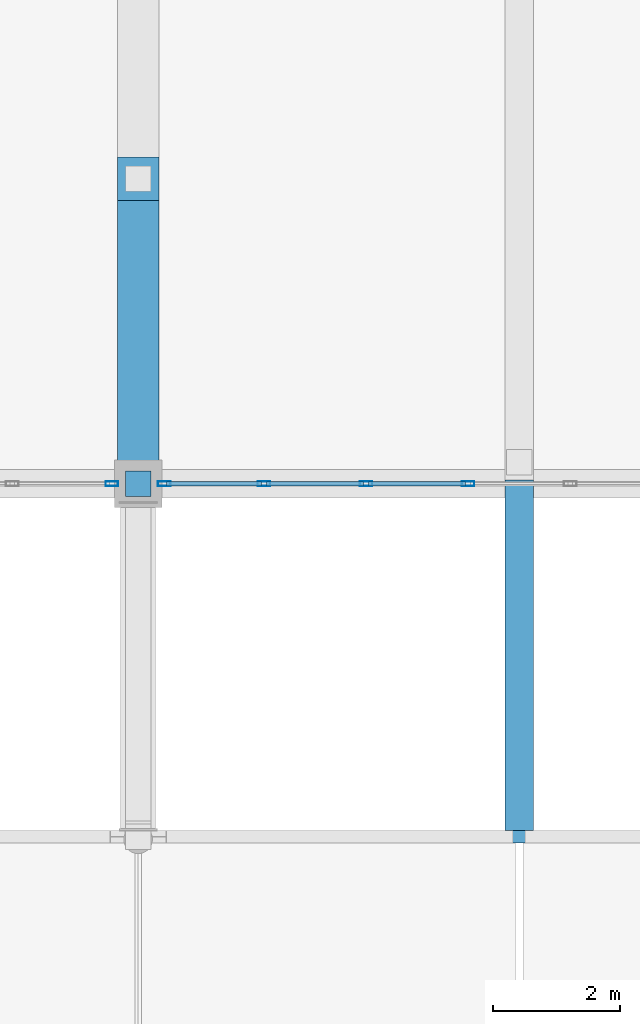
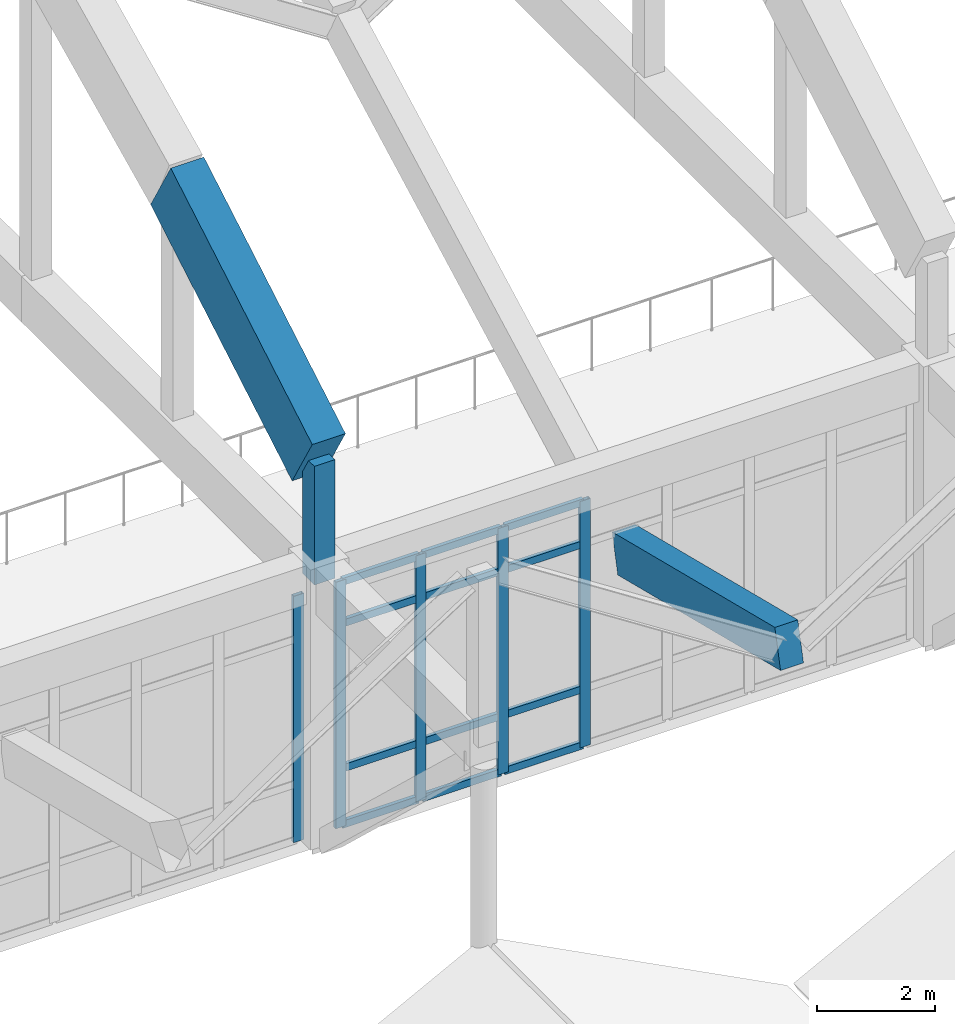
# One storey, part 49 of 236: 19 members, 1 beam, 2 elements without a shape of their own.
"""IFC4 building model written with IfcOpenShell, lengths in metres."""

from ifc_helpers import new_model, si_unit, direction, frame, origin, origin_2d, place, context, subcontext, project, spatial, rectangle, hollow_rectangle, extrude, material, layer, layer_set, material_profile, profile_set, type_object, element, aggregate, save


model = new_model("IFC4")

# Units and contexts
model_context = context("Model", 3, precision=1e-05, world=origin(), true_north=direction((0.0, 1.0)))
body_context = subcontext(model_context, "Body", "Model", "MODEL_VIEW")
ifc_project = project(units=[si_unit("LENGTHUNIT", "METRE"), si_unit("AREAUNIT", "SQUARE_METRE"), si_unit("VOLUMEUNIT", "CUBIC_METRE"), si_unit("PLANEANGLEUNIT", "RADIAN"), si_unit("MASSUNIT", "GRAM", prefix="KILO")], contexts=[model_context])

# Site, building, storey
site_placement = place(None, origin())
site = spatial("IfcSite", under=ifc_project, at=site_placement, CompositionType="ELEMENT")
building_placement = place(site_placement, origin())
building = spatial("IfcBuilding", under=site, at=building_placement, Name="Pandanus Reach Market Hall", CompositionType="ELEMENT")
storey_placement = place(building_placement, frame((0.0, 0.0, 5.39990234375)))
storey = spatial("IfcBuildingStorey", under=building, at=storey_placement, Name="L01", CompositionType="ELEMENT", Elevation=5.39990234375)

# Members
ifc_material_1 = material(Name="Concrete N50 (50 MPa)", Category="concrete")
ifc_material_profile_1 = material_profile(ifc_material_1, rectangle(XDim=0.64990234375, YDim=1.35009765625, at=origin_2d()), Name="RC650x1350", Category="LoadBearing")
ifc_profile_set_1 = profile_set([ifc_material_profile_1], Name="Concrete N50 (50 MPa)")
member_type_1 = type_object("IfcMemberType", Name="AR-RC650-E", PredefinedType="CHORD", material=ifc_profile_set_1)
member_1_placement = place(storey_placement, frame((72.0, 28.800048828125, 7.780029296875), z_axis=(0.0, 0.862897305689, 0.505379302935), x_axis=(-1.0, 0.0, 0.0)))
element("IfcMember", 1, at=member_1_placement, inside=storey, type_object=member_type_1, Name="Parabolic arch top chord A3.1", PredefinedType="CHORD", context=body_context, shape_type="SweptSolid", body=[
    extrude(rectangle(XDim=0.64990234375, YDim=1.35009765625, at=origin_2d()), origin(), (0.0, 0.0, 1.0), 5.562744140625),
])
ifc_material_profile_2 = material_profile(ifc_material_1, rectangle(XDim=0.39990234375, YDim=0.39990234375, at=origin_2d()), Name="RC400x400", Category="LoadBearing")
ifc_profile_set_2 = profile_set([ifc_material_profile_2], Name="Concrete N50 (50 MPa)")
member_type_2 = type_object("IfcMemberType", Name="AR-WEB400-E", PredefinedType="STRUT", material=ifc_profile_set_2)
member_2_placement = place(storey_placement, frame((72.0, 28.800048828125, 5.3251953125), z_axis=(0.0, 0.0, 1.0), x_axis=(1.0, 0.0, 0.0)))
element("IfcMember", 2, at=member_2_placement, inside=storey, type_object=member_type_2, Name="Arch springing concrete strut A3.S", PredefinedType="STRUT", context=body_context, shape_type="SweptSolid", body=[
    extrude(rectangle(XDim=0.39990234375, YDim=0.39990234375, at=origin_2d()), origin(), (0.0, 0.0, 1.0), 2.454833984375),
])

# Beam
ifc_material_2 = material(Name="Concrete N40 (40 MPa)", Category="concrete")
ifc_material_profile_3 = material_profile(ifc_material_2, rectangle(XDim=0.449951171875, YDim=0.800048828125, at=origin_2d()), Name="RC450x800", Category="LoadBearing")
ifc_profile_set_3 = profile_set([ifc_material_profile_3], Name="Concrete N40 (40 MPa)")
beam_type = type_object("IfcBeamType", Name="BM-RC450-I", PredefinedType="BEAM", material=ifc_profile_set_3)
beam_placement = place(storey_placement, frame((78.0, 23.239990234375, 5.16015625), z_axis=(0.0, 0.97055017704, -0.240899053231), x_axis=(-1.0, 0.0, 0.0)))
element("IfcBeam", 3, at=beam_placement, inside=storey, type_object=beam_type, Name="Butterfly valley beam B3.1", PredefinedType="BEAM", context=body_context, shape_type="SweptSolid", body=[
    extrude(rectangle(XDim=0.449951171875, YDim=0.800048828125, at=origin_2d()), origin(), (0.0, 0.0, 1.0), 5.6875),
])

# Curtain wall, member
ifc_material_3 = material(Name="Bronze anodised aluminium and low-E glass", Category="aluminium")
ifc_layer = layer(ifc_material_3, 0.199951171875, Name="CW-02")
ifc_layer_set = layer_set([ifc_layer], Name="Bronze anodised aluminium and low-E glass")
curtain_wall_type = type_object("IfcCurtainWallType", Name="CW-02", PredefinedType="NOTDEFINED", material=ifc_layer_set)
curtain_wall_1_placement = place(storey_placement, origin())
curtain_wall_1 = element("IfcCurtainWall", 4, at=curtain_wall_1_placement, inside=storey, type_object=curtain_wall_type, Name="Glazed curtain wall CW-02 CW-0002", PredefinedType="NOTDEFINED")
ifc_material_4 = material(Name="Bronze anodised aluminium", Category="aluminium")
ifc_material_profile_4 = material_profile(ifc_material_4, hollow_rectangle(XDim=0.074951171875, YDim=0.199951171875, WallThickness=0.00439453125, at=origin_2d()), Name="ALU75x200", Category="LoadBearing")
ifc_profile_set_4 = profile_set([ifc_material_profile_4], Name="Bronze anodised aluminium")
member_type_3 = type_object("IfcMemberType", Name="CW-M2", PredefinedType="MULLION", material=ifc_profile_set_4)
member_3_placement = place(storey_placement, frame((71.58740234375, 28.800048828125, 0.0), z_axis=(0.0, 0.0, 1.0), x_axis=(0.0, 1.0, 0.0)))
member_3 = element("IfcMember", 5, at=member_3_placement, type_object=member_type_3, Name="CW-02 mullion 8", PredefinedType="MULLION", context=body_context, shape_type="SweptSolid", body=[
    extrude(hollow_rectangle(XDim=0.074951171875, YDim=0.199951171875, WallThickness=0.00439453125, at=origin_2d()), origin(), (0.0, 0.0, 1.0), 5.10009765625),
])
aggregate(curtain_wall_1, [member_3])

# Curtain wall, members
curtain_wall_2_placement = place(storey_placement, origin())
curtain_wall_2 = element("IfcCurtainWall", 6, at=curtain_wall_2_placement, inside=storey, type_object=curtain_wall_type, Name="Glazed curtain wall CW-02 CW-0004", PredefinedType="NOTDEFINED")
member_4_placement = place(storey_placement, frame((72.41259765625, 28.800048828125, 0.0), z_axis=(0.0, 0.0, 1.0), x_axis=(0.0, 1.0, 0.0)))
member_4 = element("IfcMember", 7, at=member_4_placement, type_object=member_type_3, Name="CW-02 mullion 1", PredefinedType="MULLION", context=body_context, shape_type="SweptSolid", body=[
    extrude(hollow_rectangle(XDim=0.074951171875, YDim=0.199951171875, WallThickness=0.00439453125, at=origin_2d()), origin(), (0.0, 0.0, 1.0), 5.10009765625),
])
member_5_placement = place(storey_placement, frame((73.982177734375, 28.800048828125, 0.0), z_axis=(0.0, 0.0, 1.0), x_axis=(0.0, 1.0, 0.0)))
member_5 = element("IfcMember", 8, at=member_5_placement, type_object=member_type_3, Name="CW-02 mullion 2", PredefinedType="MULLION", context=body_context, shape_type="SweptSolid", body=[
    extrude(hollow_rectangle(XDim=0.074951171875, YDim=0.199951171875, WallThickness=0.00439453125, at=origin_2d()), origin(), (0.0, 0.0, 1.0), 5.10009765625),
])
member_6_placement = place(storey_placement, frame((75.58935546875, 28.800048828125, 0.0), z_axis=(0.0, 0.0, 1.0), x_axis=(0.0, 1.0, 0.0)))
member_6 = element("IfcMember", 9, at=member_6_placement, type_object=member_type_3, Name="CW-02 mullion 3", PredefinedType="MULLION", context=body_context, shape_type="SweptSolid", body=[
    extrude(hollow_rectangle(XDim=0.074951171875, YDim=0.199951171875, WallThickness=0.00439453125, at=origin_2d()), origin(), (0.0, 0.0, 1.0), 5.10009765625),
])
member_7_placement = place(storey_placement, frame((77.196533203125, 28.800048828125, 0.0), z_axis=(0.0, 0.0, 1.0), x_axis=(0.0, 1.0, 0.0)))
member_7 = element("IfcMember", 10, at=member_7_placement, type_object=member_type_3, Name="CW-02 mullion 4", PredefinedType="MULLION", context=body_context, shape_type="SweptSolid", body=[
    extrude(hollow_rectangle(XDim=0.074951171875, YDim=0.199951171875, WallThickness=0.00439453125, at=origin_2d()), origin(), (0.0, 0.0, 1.0), 5.10009765625),
])
ifc_material_profile_5 = material_profile(ifc_material_4, hollow_rectangle(XDim=0.074951171875, YDim=0.14990234375, WallThickness=0.00439453125, at=origin_2d()), Name="ALU75x150", Category="LoadBearing")
ifc_profile_set_5 = profile_set([ifc_material_profile_5], Name="Bronze anodised aluminium")
member_type_4 = type_object("IfcMemberType", Name="CW-T2", PredefinedType="USERDEFINED", material=ifc_profile_set_5)
member_8_placement = place(storey_placement, frame((72.449951171875, 28.800048828125, 0.03759765625), z_axis=(1.0, 0.0, 0.0), x_axis=(0.0, 1.0, 0.0)))
member_8 = element("IfcMember", 11, at=member_8_placement, type_object=member_type_4, Name="CW-02 transom 1.1", ObjectType="TRANSOM", PredefinedType="USERDEFINED", context=body_context, shape_type="SweptSolid", body=[
    extrude(hollow_rectangle(XDim=0.074951171875, YDim=0.14990234375, WallThickness=0.00439453125, at=origin_2d()), origin(), (0.0, 0.0, 1.0), 1.49462890625),
])
member_9_placement = place(storey_placement, frame((72.449951171875, 28.800048828125, 1.2001953125), z_axis=(1.0, 0.0, 0.0), x_axis=(0.0, 1.0, 0.0)))
member_9 = element("IfcMember", 12, at=member_9_placement, type_object=member_type_4, Name="CW-02 transom 1.2", ObjectType="TRANSOM", PredefinedType="USERDEFINED", context=body_context, shape_type="SweptSolid", body=[
    extrude(hollow_rectangle(XDim=0.074951171875, YDim=0.14990234375, WallThickness=0.00439453125, at=origin_2d()), origin(), (0.0, 0.0, 1.0), 1.49462890625),
])
member_10_placement = place(storey_placement, frame((72.449951171875, 28.800048828125, 4.2001953125), z_axis=(1.0, 0.0, 0.0), x_axis=(0.0, 1.0, 0.0)))
member_10 = element("IfcMember", 13, at=member_10_placement, type_object=member_type_4, Name="CW-02 transom 1.3", ObjectType="TRANSOM", PredefinedType="USERDEFINED", context=body_context, shape_type="SweptSolid", body=[
    extrude(hollow_rectangle(XDim=0.074951171875, YDim=0.14990234375, WallThickness=0.00439453125, at=origin_2d()), origin(), (0.0, 0.0, 1.0), 1.49462890625),
])
member_11_placement = place(storey_placement, frame((72.449951171875, 28.800048828125, 5.0625), z_axis=(1.0, 0.0, 0.0), x_axis=(0.0, 1.0, 0.0)))
member_11 = element("IfcMember", 14, at=member_11_placement, type_object=member_type_4, Name="CW-02 transom 1.4", ObjectType="TRANSOM", PredefinedType="USERDEFINED", context=body_context, shape_type="SweptSolid", body=[
    extrude(hollow_rectangle(XDim=0.074951171875, YDim=0.14990234375, WallThickness=0.00439453125, at=origin_2d()), origin(), (0.0, 0.0, 1.0), 1.49462890625),
])
member_12_placement = place(storey_placement, frame((74.01953125, 28.800048828125, 0.03759765625), z_axis=(1.0, 0.0, 0.0), x_axis=(0.0, 1.0, 0.0)))
member_12 = element("IfcMember", 15, at=member_12_placement, type_object=member_type_4, Name="CW-02 transom 2.1", ObjectType="TRANSOM", PredefinedType="USERDEFINED", context=body_context, shape_type="SweptSolid", body=[
    extrude(hollow_rectangle(XDim=0.074951171875, YDim=0.14990234375, WallThickness=0.00439453125, at=origin_2d()), origin(), (0.0, 0.0, 1.0), 1.5322265625),
])
member_13_placement = place(storey_placement, frame((74.01953125, 28.800048828125, 1.2001953125), z_axis=(1.0, 0.0, 0.0), x_axis=(0.0, 1.0, 0.0)))
member_13 = element("IfcMember", 16, at=member_13_placement, type_object=member_type_4, Name="CW-02 transom 2.2", ObjectType="TRANSOM", PredefinedType="USERDEFINED", context=body_context, shape_type="SweptSolid", body=[
    extrude(hollow_rectangle(XDim=0.074951171875, YDim=0.14990234375, WallThickness=0.00439453125, at=origin_2d()), origin(), (0.0, 0.0, 1.0), 1.5322265625),
])
member_14_placement = place(storey_placement, frame((74.01953125, 28.800048828125, 4.2001953125), z_axis=(1.0, 0.0, 0.0), x_axis=(0.0, 1.0, 0.0)))
member_14 = element("IfcMember", 17, at=member_14_placement, type_object=member_type_4, Name="CW-02 transom 2.3", ObjectType="TRANSOM", PredefinedType="USERDEFINED", context=body_context, shape_type="SweptSolid", body=[
    extrude(hollow_rectangle(XDim=0.074951171875, YDim=0.14990234375, WallThickness=0.00439453125, at=origin_2d()), origin(), (0.0, 0.0, 1.0), 1.5322265625),
])
member_15_placement = place(storey_placement, frame((74.01953125, 28.800048828125, 5.0625), z_axis=(1.0, 0.0, 0.0), x_axis=(0.0, 1.0, 0.0)))
member_15 = element("IfcMember", 18, at=member_15_placement, type_object=member_type_4, Name="CW-02 transom 2.4", ObjectType="TRANSOM", PredefinedType="USERDEFINED", context=body_context, shape_type="SweptSolid", body=[
    extrude(hollow_rectangle(XDim=0.074951171875, YDim=0.14990234375, WallThickness=0.00439453125, at=origin_2d()), origin(), (0.0, 0.0, 1.0), 1.5322265625),
])
member_16_placement = place(storey_placement, frame((75.626708984375, 28.800048828125, 0.03759765625), z_axis=(1.0, 0.0, 0.0), x_axis=(0.0, 1.0, 0.0)))
member_16 = element("IfcMember", 19, at=member_16_placement, type_object=member_type_4, Name="CW-02 transom 3.1", ObjectType="TRANSOM", PredefinedType="USERDEFINED", context=body_context, shape_type="SweptSolid", body=[
    extrude(hollow_rectangle(XDim=0.074951171875, YDim=0.14990234375, WallThickness=0.00439453125, at=origin_2d()), origin(), (0.0, 0.0, 1.0), 1.5322265625),
])
member_17_placement = place(storey_placement, frame((75.626708984375, 28.800048828125, 1.2001953125), z_axis=(1.0, 0.0, 0.0), x_axis=(0.0, 1.0, 0.0)))
member_17 = element("IfcMember", 20, at=member_17_placement, type_object=member_type_4, Name="CW-02 transom 3.2", ObjectType="TRANSOM", PredefinedType="USERDEFINED", context=body_context, shape_type="SweptSolid", body=[
    extrude(hollow_rectangle(XDim=0.074951171875, YDim=0.14990234375, WallThickness=0.00439453125, at=origin_2d()), origin(), (0.0, 0.0, 1.0), 1.5322265625),
])
member_18_placement = place(storey_placement, frame((75.626708984375, 28.800048828125, 4.2001953125), z_axis=(1.0, 0.0, 0.0), x_axis=(0.0, 1.0, 0.0)))
member_18 = element("IfcMember", 21, at=member_18_placement, type_object=member_type_4, Name="CW-02 transom 3.3", ObjectType="TRANSOM", PredefinedType="USERDEFINED", context=body_context, shape_type="SweptSolid", body=[
    extrude(hollow_rectangle(XDim=0.074951171875, YDim=0.14990234375, WallThickness=0.00439453125, at=origin_2d()), origin(), (0.0, 0.0, 1.0), 1.5322265625),
])
member_19_placement = place(storey_placement, frame((75.626708984375, 28.800048828125, 5.0625), z_axis=(1.0, 0.0, 0.0), x_axis=(0.0, 1.0, 0.0)))
member_19 = element("IfcMember", 22, at=member_19_placement, type_object=member_type_4, Name="CW-02 transom 3.4", ObjectType="TRANSOM", PredefinedType="USERDEFINED", context=body_context, shape_type="SweptSolid", body=[
    extrude(hollow_rectangle(XDim=0.074951171875, YDim=0.14990234375, WallThickness=0.00439453125, at=origin_2d()), origin(), (0.0, 0.0, 1.0), 1.5322265625),
])
aggregate(curtain_wall_2, [member_4, member_5, member_6, member_7, member_8, member_9, member_10, member_11, member_12, member_13, member_14, member_15, member_16, member_17, member_18, member_19])

save(model, "model.ifc")
